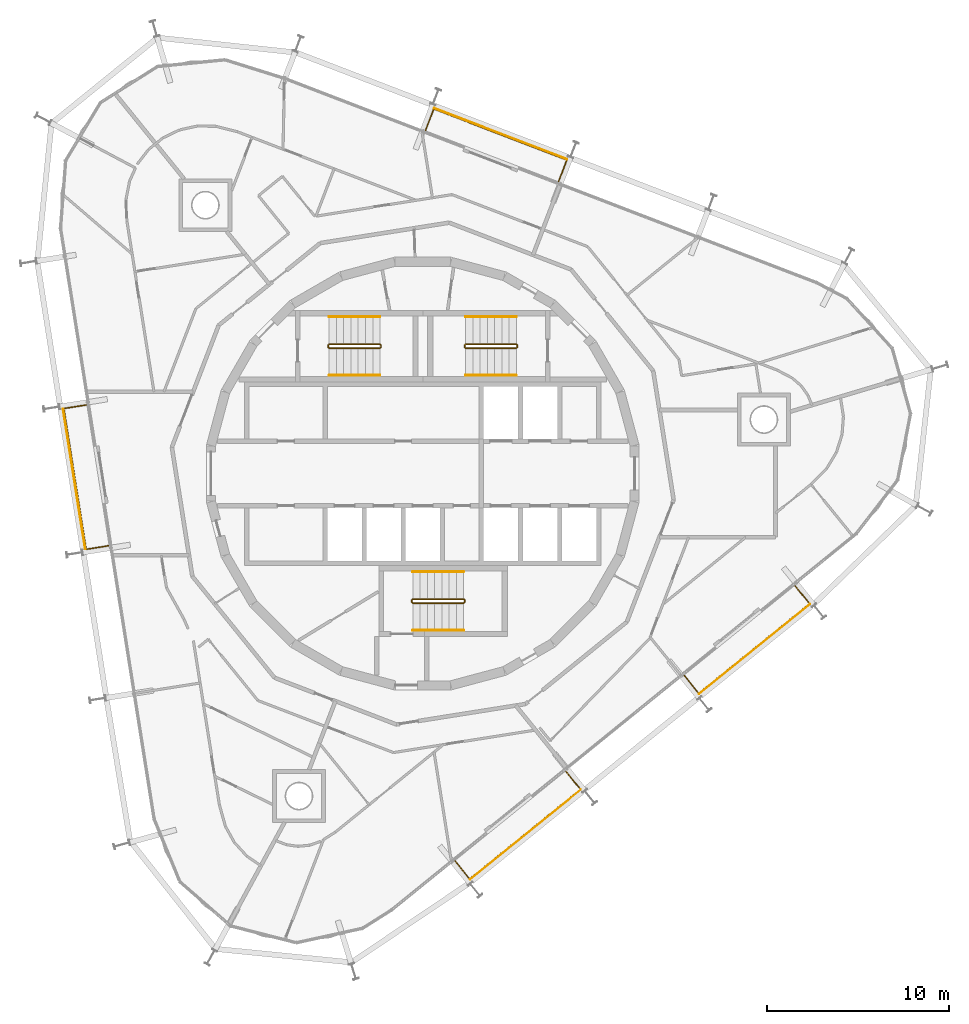
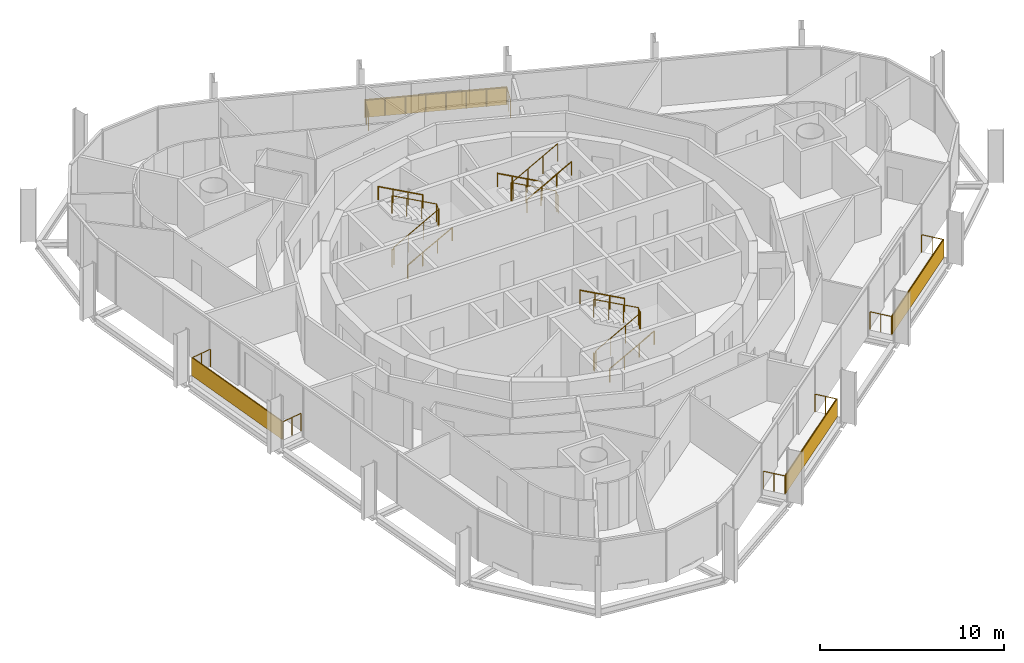
# One storey, part 17 of 17: 13 railings, 4 shading devices.
"""IFC4 building model written with IfcOpenShell, lengths in metres."""

from ifc_helpers import new_model, si_unit, direction, frame, origin, origin_2d, place, context, subcontext, project, spatial, rectangle, circle, extrude, material, layer, layer_set, type_object, element, save


model = new_model("IFC4")

# Units and contexts
model_context = context("Model", 3, precision=1e-05, world=origin(), true_north=direction((0.0, 1.0)))
body_context = subcontext(model_context, "Body", "Model", "MODEL_VIEW")
ifc_project = project(units=[si_unit("LENGTHUNIT", "METRE"), si_unit("AREAUNIT", "SQUARE_METRE"), si_unit("VOLUMEUNIT", "CUBIC_METRE"), si_unit("PLANEANGLEUNIT", "RADIAN"), si_unit("MASSUNIT", "GRAM", prefix="KILO")], contexts=[model_context])

# Site, building, storey
site_placement = place(None, origin())
site = spatial("IfcSite", under=ifc_project, at=site_placement, CompositionType="ELEMENT")
building_placement = place(site_placement, origin())
building = spatial("IfcBuilding", under=site, at=building_placement, Name="Spindle Arch Residences", CompositionType="ELEMENT")
storey_placement = place(building_placement, frame((0.0, 0.0, 284.39990234375)))
storey = spatial("IfcBuildingStorey", under=building, at=storey_placement, Name="L73", CompositionType="ELEMENT", Elevation=284.39990234375)

# Railings
ifc_material_1 = material(Name="Bronze anodised aluminium guard with glass infill", Category="aluminium")
railing_type_1 = type_object("IfcRailingType", Name="Balcony guard 1200", PredefinedType="GUARDRAIL", material=ifc_material_1)
railing_1_placement = place(storey_placement, frame((14.3857421875, -11.10888671875, 0.0)))
element("IfcRailing", 1, at=railing_1_placement, inside=storey, type_object=railing_type_1, Name="Guard L73 bay 1", PredefinedType="GUARDRAIL", context=body_context, shape_type="SweptSolid", body=[
    extrude(circle(Radius=0.02392578125, at=origin_2d()), frame((0.0, 0.0, 1.17578125), z_axis=(0.629422920791, -0.77706292331, 0.0), x_axis=(0.77706292331, 0.629422920791, 0.0)), (0.0, 0.0, 1.0), 1.250244140625),
    extrude(circle(Radius=0.02392578125, at=origin_2d()), frame((0.786865234375, -0.971435546875, 1.17578125), z_axis=(0.777138223033, 0.629329947087, 0.0), x_axis=(-0.629329947087, 0.777138223033, 0.0)), (0.0, 0.0, 1.0), 7.83740234375),
    extrude(circle(Radius=0.02392578125, at=origin_2d()), frame((6.877685546875, 3.9609375, 1.17578125), z_axis=(-0.629304977104, 0.777158443171, 0.0), x_axis=(-0.777158443171, -0.629304977104, 0.0)), (0.0, 0.0, 1.0), 1.25),
    extrude(circle(Radius=0.02099609375, at=origin_2d()), origin(), (0.0, 0.0, 1.0), 1.15185546875),
    extrude(circle(Radius=0.02099609375, at=origin_2d()), frame((0.3935546875, -0.48583984375, 0.0)), (0.0, 0.0, 1.0), 1.15185546875),
    extrude(circle(Radius=0.02099609375, at=origin_2d()), frame((0.786865234375, -0.971435546875, 0.0)), (0.0, 0.0, 1.0), 1.15185546875),
    extrude(circle(Radius=0.02099609375, at=origin_2d()), frame((1.656982421875, -0.266845703125, 0.0)), (0.0, 0.0, 1.0), 1.15185546875),
    extrude(circle(Radius=0.02099609375, at=origin_2d()), frame((2.527099609375, 0.437744140625, 0.0)), (0.0, 0.0, 1.0), 1.15185546875),
    extrude(circle(Radius=0.02099609375, at=origin_2d()), frame((3.397216796875, 1.142333984375, 0.0)), (0.0, 0.0, 1.0), 1.15185546875),
    extrude(circle(Radius=0.02099609375, at=origin_2d()), frame((4.267333984375, 1.84716796875, 0.0)), (0.0, 0.0, 1.0), 1.15185546875),
    extrude(circle(Radius=0.02099609375, at=origin_2d()), frame((5.137451171875, 2.5517578125, 0.0)), (0.0, 0.0, 1.0), 1.15185546875),
    extrude(circle(Radius=0.02099609375, at=origin_2d()), frame((6.007568359375, 3.25634765625, 0.0)), (0.0, 0.0, 1.0), 1.15185546875),
    extrude(circle(Radius=0.02099609375, at=origin_2d()), frame((6.877685546875, 3.9609375, 0.0)), (0.0, 0.0, 1.0), 1.15185546875),
    extrude(circle(Radius=0.02099609375, at=origin_2d()), frame((6.484375, 4.44677734375, 0.0)), (0.0, 0.0, 1.0), 1.15185546875),
    extrude(circle(Radius=0.02099609375, at=origin_2d()), frame((6.091064453125, 4.932373046875, 0.0)), (0.0, 0.0, 1.0), 1.15185546875),
])
railing_2_placement = place(storey_placement, frame((7.473876953125, 16.075927734375, 0.0)))
element("IfcRailing", 2, at=railing_2_placement, inside=storey, type_object=railing_type_1, Name="Guard L73 bay 7", PredefinedType="GUARDRAIL", context=body_context, shape_type="SweptSolid", body=[
    extrude(circle(Radius=0.02392578125, at=origin_2d()), frame((0.0, 0.0, 1.17578125), z_axis=(0.358219824021, 0.933637273077, 0.0), x_axis=(-0.933637273077, 0.358219824021, 0.0)), (0.0, 0.0, 1.0), 1.25),
    extrude(circle(Radius=0.02392578125, at=origin_2d()), frame((0.44775390625, 1.1669921875, 1.17578125), z_axis=(-0.933574226738, 0.358384100054, 0.0), x_axis=(-0.358384100054, -0.933574226738, 0.0)), (0.0, 0.0, 1.0), 7.83740234375),
    extrude(circle(Radius=0.02392578125, at=origin_2d()), frame((-6.869140625, 3.975830078125, 1.17578125), z_axis=(-0.358390063807, -0.933571937327, 0.0), x_axis=(0.933571937327, -0.358390063807, 0.0)), (0.0, 0.0, 1.0), 1.25),
    extrude(circle(Radius=0.02099609375, at=origin_2d()), origin(), (0.0, 0.0, 1.0), 1.15185546875),
    extrude(circle(Radius=0.02099609375, at=origin_2d()), frame((0.223876953125, 0.58349609375, 0.0)), (0.0, 0.0, 1.0), 1.15185546875),
    extrude(circle(Radius=0.02099609375, at=origin_2d()), frame((0.44775390625, 1.1669921875, 0.0)), (0.0, 0.0, 1.0), 1.15185546875),
    extrude(circle(Radius=0.02099609375, at=origin_2d()), frame((-0.597412109375, 1.568359375, 0.0)), (0.0, 0.0, 1.0), 1.15185546875),
    extrude(circle(Radius=0.02099609375, at=origin_2d()), frame((-1.642822265625, 1.969482421875, 0.0)), (0.0, 0.0, 1.0), 1.15185546875),
    extrude(circle(Radius=0.02099609375, at=origin_2d()), frame((-2.68798828125, 2.370849609375, 0.0)), (0.0, 0.0, 1.0), 1.15185546875),
    extrude(circle(Radius=0.02099609375, at=origin_2d()), frame((-3.7333984375, 2.77197265625, 0.0)), (0.0, 0.0, 1.0), 1.15185546875),
    extrude(circle(Radius=0.02099609375, at=origin_2d()), frame((-4.778564453125, 3.17333984375, 0.0)), (0.0, 0.0, 1.0), 1.15185546875),
    extrude(circle(Radius=0.02099609375, at=origin_2d()), frame((-5.823974609375, 3.574462890625, 0.0)), (0.0, 0.0, 1.0), 1.15185546875),
    extrude(circle(Radius=0.02099609375, at=origin_2d()), frame((-6.869140625, 3.975830078125, 0.0)), (0.0, 0.0, 1.0), 1.15185546875),
    extrude(circle(Radius=0.02099609375, at=origin_2d()), frame((-7.09326171875, 3.392333984375, 0.0)), (0.0, 0.0, 1.0), 1.15185546875),
    extrude(circle(Radius=0.02099609375, at=origin_2d()), frame((-7.317138671875, 2.808837890625, 0.0)), (0.0, 0.0, 1.0), 1.15185546875),
])
railing_3_placement = place(storey_placement, frame((-18.504638671875, 3.77294921875, 0.0)))
element("IfcRailing", 3, at=railing_3_placement, inside=storey, type_object=railing_type_1, Name="Guard L73 bay 13", PredefinedType="GUARDRAIL", context=body_context, shape_type="SweptSolid", body=[
    extrude(circle(Radius=0.02392578125, at=origin_2d()), frame((0.0, 0.0, 1.17578125), z_axis=(-0.987686835152, -0.156443969736, 0.0), x_axis=(0.156443969736, -0.987686835152, 0.0)), (0.0, 0.0, 1.0), 1.25),
    extrude(circle(Radius=0.02392578125, at=origin_2d()), frame((-1.234619140625, -0.195556640625, 1.17578125), z_axis=(0.156437642141, -0.987687837387, 0.0), x_axis=(0.987687837387, 0.156437642141, 0.0)), (0.0, 0.0, 1.0), 7.83740234375),
    extrude(circle(Radius=0.02392578125, at=origin_2d()), frame((-0.008544921875, -7.9365234375, 1.17578125), z_axis=(0.987686835152, 0.156443969736, 0.0), x_axis=(-0.156443969736, 0.987686835152, 0.0)), (0.0, 0.0, 1.0), 1.25),
    extrude(circle(Radius=0.02099609375, at=origin_2d()), origin(), (0.0, 0.0, 1.0), 1.15185546875),
    extrude(circle(Radius=0.02099609375, at=origin_2d()), frame((-0.6171875, -0.09765625, 0.0)), (0.0, 0.0, 1.0), 1.15185546875),
    extrude(circle(Radius=0.02099609375, at=origin_2d()), frame((-1.234619140625, -0.195556640625, 0.0)), (0.0, 0.0, 1.0), 1.15185546875),
    extrude(circle(Radius=0.02099609375, at=origin_2d()), frame((-1.0595703125, -1.301513671875, 0.0)), (0.0, 0.0, 1.0), 1.15185546875),
    extrude(circle(Radius=0.02099609375, at=origin_2d()), frame((-0.88427734375, -2.4072265625, 0.0)), (0.0, 0.0, 1.0), 1.15185546875),
    extrude(circle(Radius=0.02099609375, at=origin_2d()), frame((-0.709228515625, -3.51318359375, 0.0)), (0.0, 0.0, 1.0), 1.15185546875),
    extrude(circle(Radius=0.02099609375, at=origin_2d()), frame((-0.533935546875, -4.618896484375, 0.0)), (0.0, 0.0, 1.0), 1.15185546875),
    extrude(circle(Radius=0.02099609375, at=origin_2d()), frame((-0.35888671875, -5.724853515625, 0.0)), (0.0, 0.0, 1.0), 1.15185546875),
    extrude(circle(Radius=0.02099609375, at=origin_2d()), frame((-0.18359375, -6.83056640625, 0.0)), (0.0, 0.0, 1.0), 1.15185546875),
    extrude(circle(Radius=0.02099609375, at=origin_2d()), frame((-0.008544921875, -7.9365234375, 0.0)), (0.0, 0.0, 1.0), 1.15185546875),
    extrude(circle(Radius=0.02099609375, at=origin_2d()), frame((0.60888671875, -7.8388671875, 0.0)), (0.0, 0.0, 1.0), 1.15185546875),
    extrude(circle(Radius=0.02099609375, at=origin_2d()), frame((1.22607421875, -7.740966796875, 0.0)), (0.0, 0.0, 1.0), 1.15185546875),
])
railing_4_placement = place(storey_placement, frame((1.7841796875, -21.3134765625, 0.0)))
element("IfcRailing", 4, at=railing_4_placement, inside=storey, type_object=railing_type_1, Name="Guard L73 bay 19", PredefinedType="GUARDRAIL", context=body_context, shape_type="SweptSolid", body=[
    extrude(circle(Radius=0.02392578125, at=origin_2d()), frame((0.0, 0.0, 1.17578125), z_axis=(0.629422920791, -0.77706292331, 0.0), x_axis=(0.77706292331, 0.629422920791, 0.0)), (0.0, 0.0, 1.0), 1.250244140625),
    extrude(circle(Radius=0.02392578125, at=origin_2d()), frame((0.786865234375, -0.971435546875, 1.17578125), z_axis=(0.777138223033, 0.629329947087, 0.0), x_axis=(-0.629329947087, 0.777138223033, 0.0)), (0.0, 0.0, 1.0), 7.83740234375),
    extrude(circle(Radius=0.02392578125, at=origin_2d()), frame((6.877685546875, 3.9609375, 1.17578125), z_axis=(-0.629304977104, 0.777158443171, 0.0), x_axis=(-0.777158443171, -0.629304977104, 0.0)), (0.0, 0.0, 1.0), 1.25),
    extrude(circle(Radius=0.02099609375, at=origin_2d()), origin(), (0.0, 0.0, 1.0), 1.15185546875),
    extrude(circle(Radius=0.02099609375, at=origin_2d()), frame((0.3935546875, -0.48583984375, 0.0)), (0.0, 0.0, 1.0), 1.15185546875),
    extrude(circle(Radius=0.02099609375, at=origin_2d()), frame((0.786865234375, -0.971435546875, 0.0)), (0.0, 0.0, 1.0), 1.15185546875),
    extrude(circle(Radius=0.02099609375, at=origin_2d()), frame((1.656982421875, -0.266845703125, 0.0)), (0.0, 0.0, 1.0), 1.15185546875),
    extrude(circle(Radius=0.02099609375, at=origin_2d()), frame((2.527099609375, 0.437744140625, 0.0)), (0.0, 0.0, 1.0), 1.15185546875),
    extrude(circle(Radius=0.02099609375, at=origin_2d()), frame((3.397216796875, 1.142333984375, 0.0)), (0.0, 0.0, 1.0), 1.15185546875),
    extrude(circle(Radius=0.02099609375, at=origin_2d()), frame((4.267333984375, 1.84716796875, 0.0)), (0.0, 0.0, 1.0), 1.15185546875),
    extrude(circle(Radius=0.02099609375, at=origin_2d()), frame((5.137451171875, 2.5517578125, 0.0)), (0.0, 0.0, 1.0), 1.15185546875),
    extrude(circle(Radius=0.02099609375, at=origin_2d()), frame((6.007568359375, 3.25634765625, 0.0)), (0.0, 0.0, 1.0), 1.15185546875),
    extrude(circle(Radius=0.02099609375, at=origin_2d()), frame((6.877685546875, 3.9609375, 0.0)), (0.0, 0.0, 1.0), 1.15185546875),
    extrude(circle(Radius=0.02099609375, at=origin_2d()), frame((6.484375, 4.44677734375, 0.0)), (0.0, 0.0, 1.0), 1.15185546875),
    extrude(circle(Radius=0.02099609375, at=origin_2d()), frame((6.091064453125, 4.932373046875, 0.0)), (0.0, 0.0, 1.0), 1.15185546875),
])

# Shading devices
ifc_material_2 = material(Name="Bronze perforated cobogo screen")
ifc_layer = layer(ifc_material_2, 0.0390625)
ifc_layer_set = layer_set([ifc_layer], Name="Cobogo screen 1200")
shading_device_type = type_object("IfcShadingDeviceType", Name="Cobogo screen 1200", PredefinedType="USERDEFINED", material=ifc_layer_set)
for number, where, z_axis, x_axis, name in (
    (5, (18.243408203125, -9.645751953125, 0.0), (0.0, 0.0, 1.0), (0.777145961457, 0.62932039105, 0.0), "Cobogo screen L73 bay 1"),
    (6, (4.27783203125, 18.68505859375, 0.0), (0.0, 0.0, 1.0), (-0.933580426497, 0.358367949545, 0.0), "Cobogo screen L73 bay 7"),
    (7, (-19.166259765625, -0.29931640625, 0.0), (0.0, 0.0, 1.0), (0.15643446504, -0.987688340595, 0.0), "Cobogo screen L73 bay 13"),
    (8, (5.641845703125, -19.850341796875, 0.0), (0.0, 0.0, 1.0), (0.777145961457, 0.62932039105, 0.0), "Cobogo screen L73 bay 19"),
):
    element("IfcShadingDevice", number, at=place(storey_placement, frame(where, z_axis=z_axis, x_axis=x_axis)), inside=storey, type_object=shading_device_type, Name=name, ObjectType="SCREEN", PredefinedType="USERDEFINED", context=body_context, shape_type="SweptSolid", body=[
        extrude(rectangle(XDim=7.837646484375, YDim=0.0390625, at=origin_2d()), origin(), (0.0, 0.0, 1.0), 1.199951171875),
    ])

# Railings
ifc_material_3 = material(Name="Steel, painted", Category="steel")
railing_type_2 = type_object("IfcRailingType", Name="Stair guard 1100", PredefinedType="GUARDRAIL", material=ifc_material_3)
railing_5_placement = place(storey_placement, frame((5.14990234375, 6.89990234375, 3.5)))
element("IfcRailing", 9, at=railing_5_placement, inside=storey, type_object=railing_type_2, Name="L73 ST1 stair guard 1", PredefinedType="GUARDRAIL", context=body_context, shape_type="SweptSolid", body=[
    extrude(circle(Radius=0.02392578125, at=origin_2d()), frame((0.0, 0.0, 1.17578125), z_axis=(-0.877357048833, 0.0, -0.479838106931), x_axis=(0.0, -1.0, 0.0)), (0.0, 0.0, 1.0), 3.191162109375),
    extrude(circle(Radius=0.02392578125, at=origin_2d()), frame((-2.7998046875, 0.0, -0.35546875), z_axis=(-0.217683172539, 0.217683172539, -0.951434744366), x_axis=(-0.707106781187, -0.707106781187, 0.0)), (0.0, 0.0, 1.0), 0.22998046875),
    extrude(circle(Radius=0.02392578125, at=origin_2d()), frame((-2.849853515625, 0.050048828125, -0.57421875), z_axis=(0.0, 1.0, 0.0), x_axis=(-1.0, 0.0, 0.0)), (0.0, 0.0, 1.0), 0.1201171875),
    extrude(circle(Radius=0.02392578125, at=origin_2d()), frame((-2.849853515625, 0.170166015625, -0.57421875), z_axis=(0.707106781187, 0.707106781187, 0.0), x_axis=(-0.707106781187, 0.707106781187, 0.0)), (0.0, 0.0, 1.0), 0.07080078125),
    extrude(circle(Radius=0.02392578125, at=origin_2d()), frame((-2.7998046875, 0.22021484375, -0.57421875), z_axis=(0.877357048833, 0.0, -0.479838106931), x_axis=(0.0, 1.0, 0.0)), (0.0, 0.0, 1.0), 3.191162109375),
    extrude(circle(Radius=0.02392578125, at=origin_2d()), frame((0.0, 0.22021484375, -2.10546875), z_axis=(0.217683172539, -0.217683172539, -0.951434744366), x_axis=(0.707106781187, 0.707106781187, 0.0)), (0.0, 0.0, 1.0), 0.22998046875),
    extrude(circle(Radius=0.02392578125, at=origin_2d()), frame((0.050048828125, 0.170166015625, -2.32421875), z_axis=(0.0, -1.0, 0.0), x_axis=(1.0, 0.0, 0.0)), (0.0, 0.0, 1.0), 0.1201171875),
    extrude(circle(Radius=0.02099609375, at=origin_2d()), origin(), (0.0, 0.0, 1.0), 1.15185546875),
    extrude(circle(Radius=0.02099609375, at=origin_2d()), frame((-0.933349609375, 0.0, -0.510498046875)), (0.0, 0.0, 1.0), 1.15185546875),
    extrude(circle(Radius=0.02099609375, at=origin_2d()), frame((-1.866455078125, 0.0, -1.020751953125)), (0.0, 0.0, 1.0), 1.15185546875),
    extrude(circle(Radius=0.02099609375, at=origin_2d()), frame((-2.7998046875, 0.0, -1.53125)), (0.0, 0.0, 1.0), 1.15185546875),
    extrude(circle(Radius=0.02099609375, at=origin_2d()), frame((-2.849853515625, 0.050048828125, -1.75)), (0.0, 0.0, 1.0), 1.15185546875),
    extrude(circle(Radius=0.02099609375, at=origin_2d()), frame((-2.849853515625, 0.170166015625, -1.75)), (0.0, 0.0, 1.0), 1.15185546875),
    extrude(circle(Radius=0.02099609375, at=origin_2d()), frame((-2.7998046875, 0.22021484375, -1.75)), (0.0, 0.0, 1.0), 1.15185546875),
    extrude(circle(Radius=0.02099609375, at=origin_2d()), frame((-1.866455078125, 0.22021484375, -2.260498046875)), (0.0, 0.0, 1.0), 1.15185546875),
    extrude(circle(Radius=0.02099609375, at=origin_2d()), frame((-0.933349609375, 0.22021484375, -2.770751953125)), (0.0, 0.0, 1.0), 1.15185546875),
    extrude(circle(Radius=0.02099609375, at=origin_2d()), frame((0.0, 0.22021484375, -3.28125)), (0.0, 0.0, 1.0), 1.15185546875),
    extrude(circle(Radius=0.02099609375, at=origin_2d()), frame((0.050048828125, 0.170166015625, -3.5)), (0.0, 0.0, 1.0), 1.15185546875),
    extrude(circle(Radius=0.02099609375, at=origin_2d()), frame((0.050048828125, 0.050048828125, -3.5)), (0.0, 0.0, 1.0), 1.15185546875),
])
railing_6_placement = place(storey_placement, frame((-5.14990234375, 7.1201171875, 3.5)))
element("IfcRailing", 10, at=railing_6_placement, inside=storey, type_object=railing_type_2, Name="L73 ST2 stair guard 1", PredefinedType="GUARDRAIL", context=body_context, shape_type="SweptSolid", body=[
    extrude(circle(Radius=0.02392578125, at=origin_2d()), frame((0.0, 0.0, 1.17578125), z_axis=(0.877357048833, 0.0, -0.479838106931), x_axis=(0.0, 1.0, 0.0)), (0.0, 0.0, 1.0), 3.191162109375),
    extrude(circle(Radius=0.02392578125, at=origin_2d()), frame((2.7998046875, 0.0, -0.35546875), z_axis=(0.217683172539, -0.217683172539, -0.951434744366), x_axis=(0.707106781187, 0.707106781187, 0.0)), (0.0, 0.0, 1.0), 0.22998046875),
    extrude(circle(Radius=0.02392578125, at=origin_2d()), frame((2.849853515625, -0.050048828125, -0.57421875), z_axis=(0.0, -1.0, 0.0), x_axis=(1.0, 0.0, 0.0)), (0.0, 0.0, 1.0), 0.1201171875),
    extrude(circle(Radius=0.02392578125, at=origin_2d()), frame((2.849853515625, -0.170166015625, -0.57421875), z_axis=(-0.707106781187, -0.707106781187, 0.0), x_axis=(0.707106781187, -0.707106781187, 0.0)), (0.0, 0.0, 1.0), 0.07080078125),
    extrude(circle(Radius=0.02392578125, at=origin_2d()), frame((2.7998046875, -0.22021484375, -0.57421875), z_axis=(-0.877357048833, 0.0, -0.479838106931), x_axis=(0.0, -1.0, 0.0)), (0.0, 0.0, 1.0), 3.191162109375),
    extrude(circle(Radius=0.02392578125, at=origin_2d()), frame((0.0, -0.22021484375, -2.10546875), z_axis=(-0.217683172539, 0.217683172539, -0.951434744366), x_axis=(-0.707106781187, -0.707106781187, 0.0)), (0.0, 0.0, 1.0), 0.22998046875),
    extrude(circle(Radius=0.02392578125, at=origin_2d()), frame((-0.050048828125, -0.170166015625, -2.32421875), z_axis=(0.0, 1.0, 0.0), x_axis=(-1.0, 0.0, 0.0)), (0.0, 0.0, 1.0), 0.1201171875),
    extrude(circle(Radius=0.02099609375, at=origin_2d()), origin(), (0.0, 0.0, 1.0), 1.15185546875),
    extrude(circle(Radius=0.02099609375, at=origin_2d()), frame((0.933349609375, 0.0, -0.510498046875)), (0.0, 0.0, 1.0), 1.15185546875),
    extrude(circle(Radius=0.02099609375, at=origin_2d()), frame((1.866455078125, 0.0, -1.020751953125)), (0.0, 0.0, 1.0), 1.15185546875),
    extrude(circle(Radius=0.02099609375, at=origin_2d()), frame((2.7998046875, 0.0, -1.53125)), (0.0, 0.0, 1.0), 1.15185546875),
    extrude(circle(Radius=0.02099609375, at=origin_2d()), frame((2.849853515625, -0.050048828125, -1.75)), (0.0, 0.0, 1.0), 1.15185546875),
    extrude(circle(Radius=0.02099609375, at=origin_2d()), frame((2.849853515625, -0.170166015625, -1.75)), (0.0, 0.0, 1.0), 1.15185546875),
    extrude(circle(Radius=0.02099609375, at=origin_2d()), frame((2.7998046875, -0.22021484375, -1.75)), (0.0, 0.0, 1.0), 1.15185546875),
    extrude(circle(Radius=0.02099609375, at=origin_2d()), frame((1.866455078125, -0.22021484375, -2.260498046875)), (0.0, 0.0, 1.0), 1.15185546875),
    extrude(circle(Radius=0.02099609375, at=origin_2d()), frame((0.933349609375, -0.22021484375, -2.770751953125)), (0.0, 0.0, 1.0), 1.15185546875),
    extrude(circle(Radius=0.02099609375, at=origin_2d()), frame((0.0, -0.22021484375, -3.28125)), (0.0, 0.0, 1.0), 1.15185546875),
    extrude(circle(Radius=0.02099609375, at=origin_2d()), frame((-0.050048828125, -0.170166015625, -3.5)), (0.0, 0.0, 1.0), 1.15185546875),
    extrude(circle(Radius=0.02099609375, at=origin_2d()), frame((-0.050048828125, -0.050048828125, -3.5)), (0.0, 0.0, 1.0), 1.15185546875),
])
railing_7_placement = place(storey_placement, frame((-0.550048828125, -6.89990234375, 3.5)))
element("IfcRailing", 11, at=railing_7_placement, inside=storey, type_object=railing_type_2, Name="L73 ST3 stair guard 1", PredefinedType="GUARDRAIL", context=body_context, shape_type="SweptSolid", body=[
    extrude(circle(Radius=0.02392578125, at=origin_2d()), frame((0.0, 0.0, 1.17578125), z_axis=(0.877374661878, 0.0, -0.479805901063), x_axis=(0.0, 1.0, 0.0)), (0.0, 0.0, 1.0), 3.19140625),
    extrude(circle(Radius=0.02392578125, at=origin_2d()), frame((2.800048828125, 0.0, -0.35546875), z_axis=(0.217683172539, -0.217683172539, -0.951434744366), x_axis=(0.707106781187, 0.707106781187, 0.0)), (0.0, 0.0, 1.0), 0.22998046875),
    extrude(circle(Radius=0.02392578125, at=origin_2d()), frame((2.85009765625, -0.050048828125, -0.57421875), z_axis=(0.0, -1.0, 0.0), x_axis=(1.0, 0.0, 0.0)), (0.0, 0.0, 1.0), 0.1201171875),
    extrude(circle(Radius=0.02392578125, at=origin_2d()), frame((2.85009765625, -0.170166015625, -0.57421875), z_axis=(-0.707106781187, -0.707106781187, 0.0), x_axis=(0.707106781187, -0.707106781187, 0.0)), (0.0, 0.0, 1.0), 0.07080078125),
    extrude(circle(Radius=0.02392578125, at=origin_2d()), frame((2.800048828125, -0.22021484375, -0.57421875), z_axis=(-0.877374661878, 0.0, -0.479805901063), x_axis=(0.0, -1.0, 0.0)), (0.0, 0.0, 1.0), 3.19140625),
    extrude(circle(Radius=0.02392578125, at=origin_2d()), frame((0.0, -0.22021484375, -2.10546875), z_axis=(-0.217683172539, 0.217683172539, -0.951434744366), x_axis=(-0.707106781187, -0.707106781187, 0.0)), (0.0, 0.0, 1.0), 0.22998046875),
    extrude(circle(Radius=0.02392578125, at=origin_2d()), frame((-0.050048828125, -0.170166015625, -2.32421875), z_axis=(0.0, 1.0, 0.0), x_axis=(-1.0, 0.0, 0.0)), (0.0, 0.0, 1.0), 0.1201171875),
    extrude(circle(Radius=0.02099609375, at=origin_2d()), origin(), (0.0, 0.0, 1.0), 1.15185546875),
    extrude(circle(Radius=0.02099609375, at=origin_2d()), frame((0.933349609375, 0.0, -0.510498046875)), (0.0, 0.0, 1.0), 1.15185546875),
    extrude(circle(Radius=0.02099609375, at=origin_2d()), frame((1.86669921875, 0.0, -1.020751953125)), (0.0, 0.0, 1.0), 1.15185546875),
    extrude(circle(Radius=0.02099609375, at=origin_2d()), frame((2.800048828125, 0.0, -1.53125)), (0.0, 0.0, 1.0), 1.15185546875),
    extrude(circle(Radius=0.02099609375, at=origin_2d()), frame((2.85009765625, -0.050048828125, -1.75)), (0.0, 0.0, 1.0), 1.15185546875),
    extrude(circle(Radius=0.02099609375, at=origin_2d()), frame((2.85009765625, -0.170166015625, -1.75)), (0.0, 0.0, 1.0), 1.15185546875),
    extrude(circle(Radius=0.02099609375, at=origin_2d()), frame((2.800048828125, -0.22021484375, -1.75)), (0.0, 0.0, 1.0), 1.15185546875),
    extrude(circle(Radius=0.02099609375, at=origin_2d()), frame((1.86669921875, -0.22021484375, -2.260498046875)), (0.0, 0.0, 1.0), 1.15185546875),
    extrude(circle(Radius=0.02099609375, at=origin_2d()), frame((0.933349609375, -0.22021484375, -2.770751953125)), (0.0, 0.0, 1.0), 1.15185546875),
    extrude(circle(Radius=0.02099609375, at=origin_2d()), frame((0.0, -0.22021484375, -3.28125)), (0.0, 0.0, 1.0), 1.15185546875),
    extrude(circle(Radius=0.02099609375, at=origin_2d()), frame((-0.050048828125, -0.170166015625, -3.5)), (0.0, 0.0, 1.0), 1.15185546875),
    extrude(circle(Radius=0.02099609375, at=origin_2d()), frame((-0.050048828125, -0.050048828125, -3.5)), (0.0, 0.0, 1.0), 1.15185546875),
])
ifc_material_4 = material(Name="Steel, painted", Category="steel")
railing_type_3 = type_object("IfcRailingType", Name="Stair handrail 900", PredefinedType="HANDRAIL", material=ifc_material_4)
railing_8_placement = place(storey_placement, frame((5.14990234375, 8.6201171875, 0.21875)))
element("IfcRailing", 12, at=railing_8_placement, inside=storey, type_object=railing_type_3, Name="L73 ST1 stair handrail 1", PredefinedType="HANDRAIL", context=body_context, shape_type="SweptSolid", body=[
    extrude(circle(Radius=0.02392578125, at=origin_2d()), frame((0.0, 0.0, 0.8759765625), z_axis=(-0.877357048833, 0.0, 0.479838106931), x_axis=(0.0, -1.0, 0.0)), (0.0, 0.0, 1.0), 3.191162109375),
    extrude(circle(Radius=0.02099609375, at=origin_2d()), origin(), (0.0, 0.0, 1.0), 0.851806640625),
    extrude(circle(Radius=0.02099609375, at=origin_2d()), frame((-0.933349609375, 0.0, 0.510498046875)), (0.0, 0.0, 1.0), 0.851806640625),
    extrude(circle(Radius=0.02099609375, at=origin_2d()), frame((-1.866455078125, 0.0, 1.020751953125)), (0.0, 0.0, 1.0), 0.851806640625),
    extrude(circle(Radius=0.02099609375, at=origin_2d()), frame((-2.7998046875, 0.0, 1.53125)), (0.0, 0.0, 1.0), 0.851806640625),
])
for number, where, name in (
    (13, (2.35009765625, 5.39990234375, 1.96875), "L73 ST1 stair handrail 2"),
    (14, (-5.14990234375, 5.39990234375, 0.21875), "L73 ST2 stair handrail 1"),
):
    element("IfcRailing", number, at=place(storey_placement, frame(where)), inside=storey, type_object=railing_type_3, Name=name, PredefinedType="HANDRAIL", context=body_context, shape_type="SweptSolid", body=[
        extrude(circle(Radius=0.02392578125, at=origin_2d()), frame((0.0, 0.0, 0.8759765625), z_axis=(0.877357048833, 0.0, 0.479838106931), x_axis=(0.0, 1.0, 0.0)), (0.0, 0.0, 1.0), 3.191162109375),
        extrude(circle(Radius=0.02099609375, at=origin_2d()), origin(), (0.0, 0.0, 1.0), 0.851806640625),
        extrude(circle(Radius=0.02099609375, at=origin_2d()), frame((0.933349609375, 0.0, 0.510498046875)), (0.0, 0.0, 1.0), 0.851806640625),
        extrude(circle(Radius=0.02099609375, at=origin_2d()), frame((1.866455078125, 0.0, 1.020751953125)), (0.0, 0.0, 1.0), 0.851806640625),
        extrude(circle(Radius=0.02099609375, at=origin_2d()), frame((2.7998046875, 0.0, 1.53125)), (0.0, 0.0, 1.0), 0.851806640625),
    ])
railing_9_placement = place(storey_placement, frame((-2.35009765625, 8.6201171875, 1.96875)))
element("IfcRailing", 15, at=railing_9_placement, inside=storey, type_object=railing_type_3, Name="L73 ST2 stair handrail 2", PredefinedType="HANDRAIL", context=body_context, shape_type="SweptSolid", body=[
    extrude(circle(Radius=0.02392578125, at=origin_2d()), frame((0.0, 0.0, 0.8759765625), z_axis=(-0.877357048833, 0.0, 0.479838106931), x_axis=(0.0, -1.0, 0.0)), (0.0, 0.0, 1.0), 3.191162109375),
    extrude(circle(Radius=0.02099609375, at=origin_2d()), origin(), (0.0, 0.0, 1.0), 0.851806640625),
    extrude(circle(Radius=0.02099609375, at=origin_2d()), frame((-0.933349609375, 0.0, 0.510498046875)), (0.0, 0.0, 1.0), 0.851806640625),
    extrude(circle(Radius=0.02099609375, at=origin_2d()), frame((-1.866455078125, 0.0, 1.020751953125)), (0.0, 0.0, 1.0), 0.851806640625),
    extrude(circle(Radius=0.02099609375, at=origin_2d()), frame((-2.7998046875, 0.0, 1.53125)), (0.0, 0.0, 1.0), 0.851806640625),
])
railing_10_placement = place(storey_placement, frame((-0.550048828125, -8.6201171875, 0.21875)))
element("IfcRailing", 16, at=railing_10_placement, inside=storey, type_object=railing_type_3, Name="L73 ST3 stair handrail 1", PredefinedType="HANDRAIL", context=body_context, shape_type="SweptSolid", body=[
    extrude(circle(Radius=0.02392578125, at=origin_2d()), frame((0.0, 0.0, 0.8759765625), z_axis=(0.877374661878, 0.0, 0.479805901063), x_axis=(0.0, 1.0, 0.0)), (0.0, 0.0, 1.0), 3.19140625),
    extrude(circle(Radius=0.02099609375, at=origin_2d()), origin(), (0.0, 0.0, 1.0), 0.851806640625),
    extrude(circle(Radius=0.02099609375, at=origin_2d()), frame((0.933349609375, 0.0, 0.510498046875)), (0.0, 0.0, 1.0), 0.851806640625),
    extrude(circle(Radius=0.02099609375, at=origin_2d()), frame((1.86669921875, 0.0, 1.020751953125)), (0.0, 0.0, 1.0), 0.851806640625),
    extrude(circle(Radius=0.02099609375, at=origin_2d()), frame((2.800048828125, 0.0, 1.53125)), (0.0, 0.0, 1.0), 0.851806640625),
])
railing_11_placement = place(storey_placement, frame((2.25, -5.39990234375, 1.96875)))
element("IfcRailing", 17, at=railing_11_placement, inside=storey, type_object=railing_type_3, Name="L73 ST3 stair handrail 2", PredefinedType="HANDRAIL", context=body_context, shape_type="SweptSolid", body=[
    extrude(circle(Radius=0.02392578125, at=origin_2d()), frame((0.0, 0.0, 0.8759765625), z_axis=(-0.877374661878, 0.0, 0.479805901063), x_axis=(0.0, -1.0, 0.0)), (0.0, 0.0, 1.0), 3.19140625),
    extrude(circle(Radius=0.02099609375, at=origin_2d()), origin(), (0.0, 0.0, 1.0), 0.851806640625),
    extrude(circle(Radius=0.02099609375, at=origin_2d()), frame((-0.933349609375, 0.0, 0.510498046875)), (0.0, 0.0, 1.0), 0.851806640625),
    extrude(circle(Radius=0.02099609375, at=origin_2d()), frame((-1.86669921875, 0.0, 1.020751953125)), (0.0, 0.0, 1.0), 0.851806640625),
    extrude(circle(Radius=0.02099609375, at=origin_2d()), frame((-2.800048828125, 0.0, 1.53125)), (0.0, 0.0, 1.0), 0.851806640625),
])

save(model, "model.ifc")
